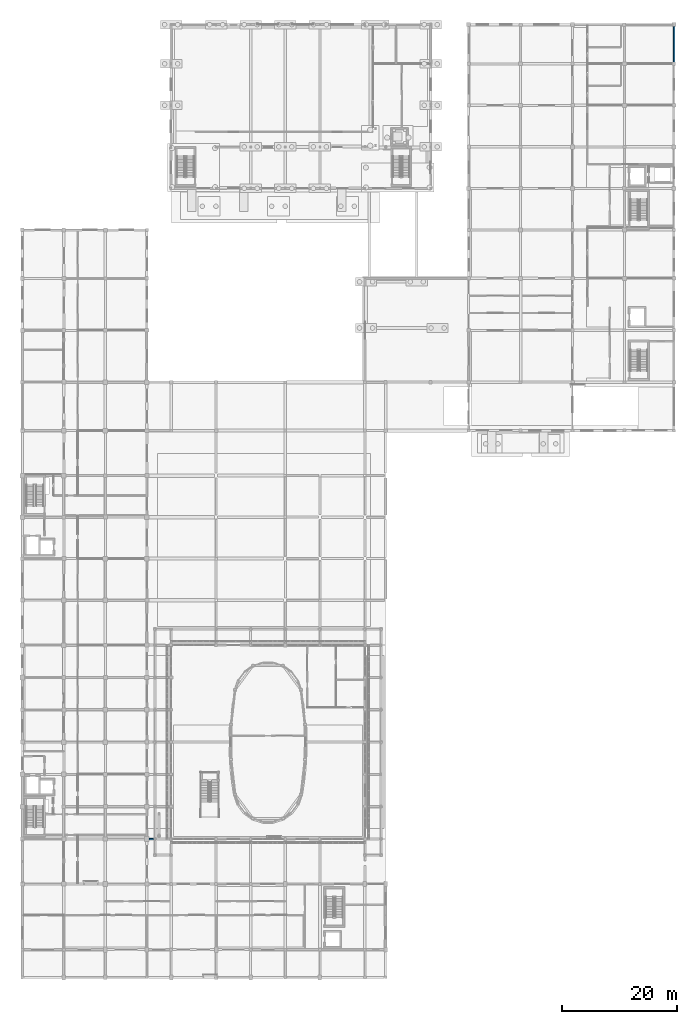
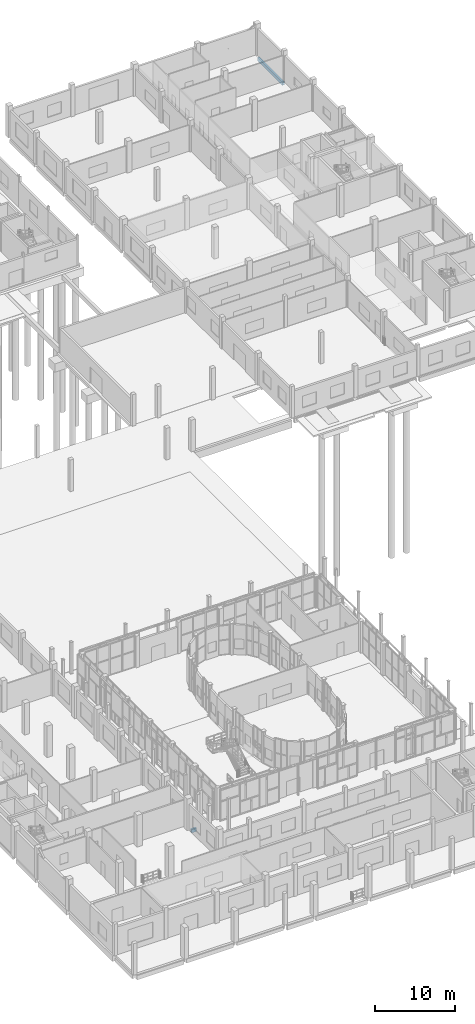
# One storey, part 52 of 91: 2 beams.
"""IFC4 building model written with IfcOpenShell, lengths in metres."""

from ifc_helpers import new_model, si_unit, direction, frame, origin, origin_2d, place, context, subcontext, project, spatial, rectangle, extrude, material, material_profile, profile_set, type_object, element, save


model = new_model("IFC4")

# Units and contexts
model_context = context("Model", 3, precision=1e-05, world=origin(), true_north=direction((0.0, 1.0)))
body_context = subcontext(model_context, "Body", "Model", "MODEL_VIEW")
ifc_project = project(units=[si_unit("LENGTHUNIT", "METRE"), si_unit("AREAUNIT", "SQUARE_METRE"), si_unit("VOLUMEUNIT", "CUBIC_METRE"), si_unit("PLANEANGLEUNIT", "RADIAN"), si_unit("MASSUNIT", "GRAM", prefix="KILO")], contexts=[model_context])

# Site, building, storey
site_placement = place(None, origin())
site = spatial("IfcSite", under=ifc_project, at=site_placement, CompositionType="ELEMENT")
building_placement = place(site_placement, origin())
building = spatial("IfcBuilding", under=site, at=building_placement, Name="Vinh Khe Railworks Police Headquarters", CompositionType="ELEMENT")
storey_placement = place(building_placement, origin())
storey = spatial("IfcBuildingStorey", under=building, at=storey_placement, Name="L00", CompositionType="ELEMENT", Elevation=0.0)

# Beams
ifc_material = material(Name="Concrete C35/45 (B35)", Category="concrete")
ifc_material_profile = material_profile(ifc_material, rectangle(XDim=0.300048828125, YDim=0.5, at=origin_2d()), Name="RC 300x500")
ifc_profile_set = profile_set([ifc_material_profile], Name="Concrete C35/45 (B35)")
beam_type = type_object("IfcBeamType", Name="RC Girder RC 300x500", PredefinedType="BEAM", material=ifc_profile_set)
beam_1_placement = place(storey_placement, frame((22.580078125, 25.199951171875, -0.530029296875), z_axis=(1.0, 0.0, 0.0), x_axis=(0.0, 1.0, 0.0)))
element("IfcBeam", 1, at=beam_1_placement, inside=storey, type_object=beam_type, Name="Girder BM-L00-EW-RB-10-0036", PredefinedType="BEAM", context=body_context, shape_type="SweptSolid", body=[
    extrude(rectangle(XDim=0.300048828125, YDim=0.5, at=origin_2d()), origin(), (0.0, 0.0, 1.0), 0.739990234375),
])
beam_2_placement = place(storey_placement, frame((113.60009765625, 159.85498046875, -0.530029296875), z_axis=(0.0, 1.0, 0.0), x_axis=(-1.0, 0.0, 0.0)))
element("IfcBeam", 2, at=beam_2_placement, inside=storey, type_object=beam_type, Name="Girder BM-L00-NS-RB-10-0390", PredefinedType="BEAM", context=body_context, shape_type="SweptSolid", body=[
    extrude(rectangle(XDim=0.300048828125, YDim=0.5, at=origin_2d()), origin(), (0.0, 0.0, 1.0), 6.215087890625),
])

save(model, "model.ifc")
